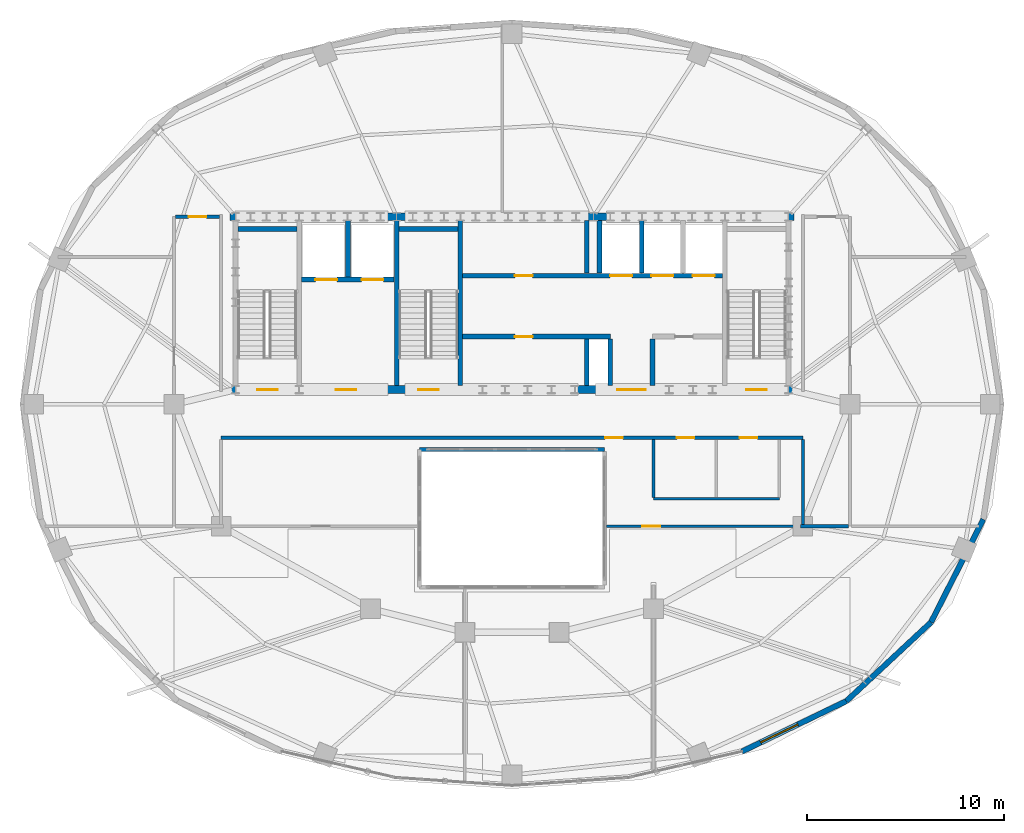
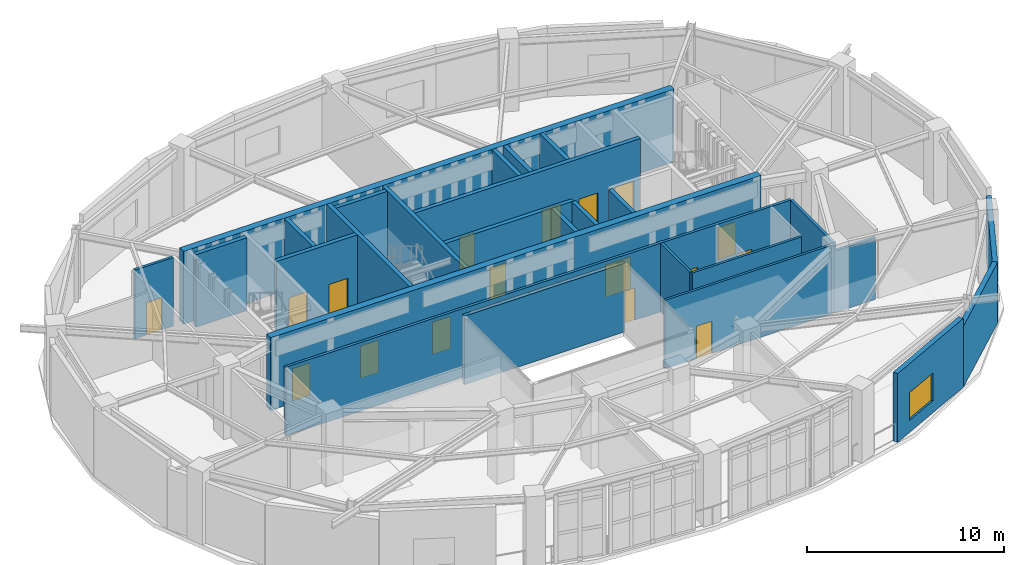
# One storey, part 8 of 11: 27 walls, 17 doors, 1 window, 18 openings.
"""IFC4 building model written with IfcOpenShell, lengths in metres."""

from ifc_helpers import new_model, si_unit, direction, frame, frame_2d, origin, place, context, subcontext, project, spatial, rectangle, extrude, material, layer, layer_set, type_object, element, fill, save


model = new_model("IFC4")

# Units and contexts
model_context = context("Model", 3, precision=1e-05, world=origin(), true_north=direction((0.0, 1.0)))
body_context = subcontext(model_context, "Body", "Model", "MODEL_VIEW")
ifc_project = project(units=[si_unit("LENGTHUNIT", "METRE"), si_unit("AREAUNIT", "SQUARE_METRE"), si_unit("VOLUMEUNIT", "CUBIC_METRE"), si_unit("PLANEANGLEUNIT", "RADIAN"), si_unit("MASSUNIT", "GRAM", prefix="KILO")], contexts=[model_context])

# Site, building, storey
site_placement = place(None, origin())
site = spatial("IfcSite", under=ifc_project, at=site_placement, CompositionType="ELEMENT")
building_placement = place(site_placement, origin())
building = spatial("IfcBuilding", under=site, at=building_placement, Name="Haldorwick Loom Tower", CompositionType="ELEMENT")
storey_placement = place(building_placement, frame((0.0, 0.0, 247.800048828125)))
storey = spatial("IfcBuildingStorey", under=building, at=storey_placement, Name="L67", CompositionType="ELEMENT", Elevation=247.800048828125)

# Wall, opening, window
ifc_material_1 = material(Name="Pressed Clay Face Brick and Insulated Masonry Backup Assembly", Category="masonry")
ifc_layer_1 = layer(ifc_material_1, 0.280029296875, Name="Pressed Clay Face Brick and Insulated Masonry Backup Assembly", Category="masonry")
ifc_layer_set_1 = layer_set([ifc_layer_1], Name="Pressed Clay Face Brick and Insulated Masonry Backup Assembly")
wall_type_1 = type_object("IfcWallType", Name="ARC-WL-EXT280", PredefinedType="STANDARD", material=ifc_layer_set_1)
wall_1_placement = place(storey_placement, frame((47.697998046875, 8.334228515625, 0.0), z_axis=(0.0, 0.0, 1.0), x_axis=(0.900481907967, 0.434893473651, 0.0)))
wall_1 = element("IfcWall", 1, at=wall_1_placement, inside=storey, type_object=wall_type_1, Name="L67 Brick Pier and Spandrel Wall 21", PredefinedType="STANDARD", context=body_context, shape_type="SweptSolid", body=[
    extrude(rectangle(XDim=5.90966796875, YDim=0.280029296875, at=frame_2d((2.954833984375, 0.0))), origin(), (0.0, 0.0, 1.0), 4.260009765625),
])
opening_1_placement = place(wall_1_placement, frame((1.062255859375, 0.0, 0.75)))
opening_1 = element("IfcOpeningElement", 2, at=opening_1_placement, cuts=wall_1, Name="Opening W-04", PredefinedType="OPENING", context=body_context, shape_type="SweptSolid", body=[
    extrude(rectangle(XDim=2.10009765625, YDim=1.719970703125, at=frame_2d((1.050048828125, 0.85986328125))), frame((0.0, 0.14990234375, 0.0), z_axis=(0.0, -1.0, 0.0), x_axis=(1.0, 0.0, 0.0)), (0.0, 0.0, 1.0), 0.300048828125),
])
ifc_material_2 = material(Name="Triple-Glazed Low-E Argon Insulated Glazing Unit", Category="glass")
window_type = type_object("IfcWindowType", Name="ARC-WIN-W210", PartitioningType="SINGLE_PANEL", PredefinedType="WINDOW", material=ifc_material_2)
window_placement = place(opening_1_placement, origin())
window = element("IfcWindow", 3, at=window_placement, inside=storey, type_object=window_type, Name="L67 Deep-Set Zone 7A Window 21", OverallHeight=1.719970703125, OverallWidth=2.10009765625, PartitioningType="SINGLE_PANEL", PredefinedType="WINDOW", context=body_context, shape_type="SweptSolid", body=[
    extrude(rectangle(XDim=2.10009765625, YDim=1.719970703125, at=frame_2d((1.050048828125, 0.85986328125))), frame((0.0, 0.030029296875, 0.0), z_axis=(0.0, -1.0, 0.0), x_axis=(1.0, 0.0, 0.0)), (0.0, 0.0, 1.0), 0.06005859375),
])
fill(opening_1, window)

# Walls
wall_2_placement = place(storey_placement, frame((53.01953125, 10.904296875, 0.0), z_axis=(0.0, 0.0, 1.0), x_axis=(0.731924682982, 0.68138554317, 0.0)))
element("IfcWall", 4, at=wall_2_placement, inside=storey, type_object=wall_type_1, Name="L67 Brick Pier and Spandrel Wall 22", PredefinedType="STANDARD", context=body_context, shape_type="SweptSolid", body=[
    extrude(rectangle(XDim=5.87890625, YDim=0.280029296875, at=frame_2d((2.939453125, 0.0))), origin(), (0.0, 0.0, 1.0), 3.76904296875),
])
wall_3_placement = place(storey_placement, frame((57.322509765625, 14.91015625, 0.0), z_axis=(0.0, 0.0, 1.0), x_axis=(0.453100705059, 0.89145933787, 0.0)))
element("IfcWall", 5, at=wall_3_placement, inside=storey, type_object=wall_type_1, Name="L67 Brick Pier and Spandrel Wall 23", PredefinedType="STANDARD", context=body_context, shape_type="SweptSolid", body=[
    extrude(rectangle(XDim=5.879150390625, YDim=0.280029296875, at=frame_2d((2.939453125, 0.0))), origin(), (0.0, 0.0, 1.0), 3.76904296875),
])

# Wall, openings, doors
ifc_material_3 = material(Name="Fire-Rated Type X Gypsum Stud Assembly EI 60")
ifc_layer_2 = layer(ifc_material_3, 0.159912109375, Name="Fire-Rated Type X Gypsum Stud Assembly EI 60")
ifc_layer_set_2 = layer_set([ifc_layer_2], Name="Fire-Rated Type X Gypsum Stud Assembly EI 60")
wall_type_2 = type_object("IfcWallType", Name="ARC-WL-FIRE160", PredefinedType="PARTITIONING", material=ifc_layer_set_2)
wall_4_placement = place(storey_placement, frame((21.199951171875, 24.300048828125, 0.0), z_axis=(0.0, 0.0, 1.0), x_axis=(1.0, 0.0, 0.0)))
wall_4 = element("IfcWall", 6, at=wall_4_placement, inside=storey, type_object=wall_type_2, Name="L67 Interior Partition L67-CS", PredefinedType="PARTITIONING", context=body_context, shape_type="SweptSolid", body=[
    extrude(rectangle(XDim=29.60009765625, YDim=0.159912109375, at=frame_2d((14.800048828125, 0.0))), origin(), (0.0, 0.0, 1.0), 4.244873046875),
])
opening_2_placement = place(wall_4_placement, frame((19.5400390625, 0.0, 0.0)))
opening_2 = element("IfcOpeningElement", 7, at=opening_2_placement, cuts=wall_4, Name="Opening D-FD60A", PredefinedType="OPENING", context=body_context, shape_type="SweptSolid", body=[
    extrude(rectangle(XDim=0.89990234375, YDim=2.0, at=frame_2d((0.449951171875, 1.0))), frame((0.0, 0.08984375, 0.0), z_axis=(0.0, -1.0, 0.0), x_axis=(1.0, 0.0, 0.0)), (0.0, 0.0, 1.0), 0.179931640625),
])
opening_3_placement = place(wall_4_placement, frame((26.388916015625, 0.0, 0.0)))
opening_3 = element("IfcOpeningElement", 8, at=opening_3_placement, cuts=wall_4, Name="Opening D-FD60A", PredefinedType="OPENING", context=body_context, shape_type="SweptSolid", body=[
    extrude(rectangle(XDim=0.89990234375, YDim=2.0, at=frame_2d((0.449951171875, 1.0))), frame((0.0, 0.08984375, 0.0), z_axis=(0.0, -1.0, 0.0), x_axis=(1.0, 0.0, 0.0)), (0.0, 0.0, 1.0), 0.179931640625),
])
opening_4_placement = place(wall_4_placement, frame((23.185791015625, 0.0, 0.0)))
opening_4 = element("IfcOpeningElement", 9, at=opening_4_placement, cuts=wall_4, Name="Opening D-FD60A", PredefinedType="OPENING", context=body_context, shape_type="SweptSolid", body=[
    extrude(rectangle(XDim=0.89990234375, YDim=2.0, at=frame_2d((0.449951171875, 1.0))), frame((0.0, 0.08984375, 0.0), z_axis=(0.0, -1.0, 0.0), x_axis=(1.0, 0.0, 0.0)), (0.0, 0.0, 1.0), 0.179931640625),
])
ifc_material_4 = material(Name="Hollow Steel Fire Door Assembly", Category="steel")
door_type_1 = type_object("IfcDoorType", Name="ARC-DR-FD60-90", OperationType="NOTDEFINED", PredefinedType="DOOR", material=ifc_material_4)
door_1_placement = place(opening_2_placement, origin())
door_1 = element("IfcDoor", 10, at=door_1_placement, inside=storey, type_object=door_type_1, Name="L67 L67 Central Transfer Corridor to Sky Reading Salon 3 Door", OperationType="SINGLE_SWING_LEFT", OverallHeight=2.0, OverallWidth=0.89990234375, PredefinedType="DOOR", context=body_context, shape_type="SweptSolid", body=[
    extrude(rectangle(XDim=0.89990234375, YDim=2.0, at=frame_2d((0.449951171875, 1.0))), frame((0.0, 0.02490234375, 0.0), z_axis=(0.0, -1.0, 0.0), x_axis=(1.0, 0.0, 0.0)), (0.0, 0.0, 1.0), 0.050048828125),
])
fill(opening_2, door_1)
door_2_placement = place(opening_3_placement, origin())
door_2 = element("IfcDoor", 11, at=door_2_placement, inside=storey, type_object=door_type_1, Name="L67 L67 Central Transfer Corridor to Accessible WC Door", OperationType="SINGLE_SWING_RIGHT", OverallHeight=2.0, OverallWidth=0.89990234375, PredefinedType="DOOR", context=body_context, shape_type="SweptSolid", body=[
    extrude(rectangle(XDim=0.89990234375, YDim=2.0, at=frame_2d((0.449951171875, 1.0))), frame((0.0, 0.02490234375, 0.0), z_axis=(0.0, -1.0, 0.0), x_axis=(1.0, 0.0, 0.0)), (0.0, 0.0, 1.0), 0.050048828125),
])
fill(opening_3, door_2)
door_3_placement = place(opening_4_placement, origin())
door_3 = element("IfcDoor", 12, at=door_3_placement, inside=storey, type_object=door_type_1, Name="L67 L67 Central Transfer Corridor to Public Washroom Door", OperationType="SINGLE_SWING_LEFT", OverallHeight=2.0, OverallWidth=0.89990234375, PredefinedType="DOOR", context=body_context, shape_type="SweptSolid", body=[
    extrude(rectangle(XDim=0.89990234375, YDim=2.0, at=frame_2d((0.449951171875, 1.0))), frame((0.0, 0.02490234375, 0.0), z_axis=(0.0, -1.0, 0.0), x_axis=(1.0, 0.0, 0.0)), (0.0, 0.0, 1.0), 0.050048828125),
])
fill(opening_4, door_3)

# Wall, opening, door
wall_5_placement = place(storey_placement, frame((18.883056640625, 35.550048828125, 0.0), z_axis=(0.0, 0.0, 1.0), x_axis=(1.0, 0.0, 0.0)))
wall_5 = element("IfcWall", 13, at=wall_5_placement, inside=storey, type_object=wall_type_2, Name="L67 Interior Partition L67-CWN", PredefinedType="PARTITIONING", context=body_context, shape_type="SweptSolid", body=[
    extrude(rectangle(XDim=2.23388671875, YDim=0.159912109375, at=frame_2d((1.116943359375, 0.0))), origin(), (0.0, 0.0, 1.0), 4.244873046875),
])
opening_5_placement = place(wall_5_placement, frame((0.6669921875, 0.0, 0.0)))
opening_5 = element("IfcOpeningElement", 14, at=opening_5_placement, cuts=wall_5, Name="Opening D-FD60A", PredefinedType="OPENING", context=body_context, shape_type="SweptSolid", body=[
    extrude(rectangle(XDim=0.89990234375, YDim=2.0, at=frame_2d((0.449951171875, 1.0))), frame((0.0, 0.08984375, 0.0), z_axis=(0.0, -1.0, 0.0), x_axis=(1.0, 0.0, 0.0)), (0.0, 0.0, 1.0), 0.179931640625),
])
door_4_placement = place(opening_5_placement, frame((0.89990234375, 0.0, 0.0), z_axis=(0.0, 0.0, 1.0), x_axis=(-1.0, 0.0, 0.0)))
door_4 = element("IfcDoor", 15, at=door_4_placement, inside=storey, type_object=door_type_1, Name="L67 Shared Pantry 9 to L67 Central Transfer Corridor Door", OperationType="SINGLE_SWING_RIGHT", OverallHeight=2.0, OverallWidth=0.89990234375, PredefinedType="DOOR", context=body_context, shape_type="SweptSolid", body=[
    extrude(rectangle(XDim=0.89990234375, YDim=2.0, at=frame_2d((0.449951171875, 1.0))), frame((0.0, 0.02490234375, 0.0), z_axis=(0.0, -1.0, 0.0), x_axis=(1.0, 0.0, 0.0)), (0.0, 0.0, 1.0), 0.050048828125),
])
fill(opening_5, door_4)

# Walls
wall_6_placement = place(storey_placement, frame((50.679931640625, 19.800048828125, 0.0), z_axis=(0.0, 0.0, 1.0), x_axis=(1.0, 0.0, 0.0)))
element("IfcWall", 16, at=wall_6_placement, inside=storey, type_object=wall_type_2, Name="L67 Interior Partition L67-CES", PredefinedType="PARTITIONING", context=body_context, shape_type="SweptSolid", body=[
    extrude(rectangle(XDim=2.43701171875, YDim=0.159912109375, at=frame_2d((1.218505859375, 0.0))), origin(), (0.0, 0.0, 1.0), 3.822021484375),
])
wall_7_placement = place(storey_placement, frame((50.800048828125, 19.883056640625, 0.0), z_axis=(0.0, 0.0, 1.0), x_axis=(0.0, 1.0, 0.0)))
element("IfcWall", 17, at=wall_7_placement, inside=storey, type_object=wall_type_2, Name="L67 Interior Partition L67-CE1", PredefinedType="PARTITIONING", context=body_context, shape_type="SweptSolid", body=[
    extrude(rectangle(XDim=4.333984375, YDim=0.159912109375, at=frame_2d((2.1669921875, 0.0))), origin(), (0.0, 0.0, 1.0), 4.244873046875),
])
ifc_material_5 = material(Name="Fire-Rated Type X Gypsum Stud Assembly EI 120")
ifc_layer_3 = layer(ifc_material_5, 0.199951171875, Name="Fire-Rated Type X Gypsum Stud Assembly EI 120")
ifc_layer_set_3 = layer_set([ifc_layer_3], Name="Fire-Rated Type X Gypsum Stud Assembly EI 120")
wall_type_3 = type_object("IfcWallType", Name="ARC-WL-FIRE200", PredefinedType="PARTITIONING", material=ifc_layer_set_3)
wall_8_placement = place(storey_placement, frame((31.300048828125, 23.699951171875, 0.0), z_axis=(0.0, 0.0, 1.0), x_axis=(1.0, 0.0, 0.0)))
element("IfcWall", 18, at=wall_8_placement, inside=storey, type_object=wall_type_3, Name="L67 Atrium Fire Wall", PredefinedType="PARTITIONING", context=body_context, shape_type="SweptSolid", body=[
    extrude(rectangle(XDim=9.39990234375, YDim=0.199951171875, at=frame_2d((4.699951171875, 0.0))), origin(), (0.0, 0.0, 1.0), 4.244873046875),
])
ifc_layer_4 = layer(ifc_material_3, 0.139892578125, Name="Fire-Rated Type X Gypsum Stud Assembly EI 60")
ifc_layer_set_4 = layer_set([ifc_layer_4], Name="Fire-Rated Type X Gypsum Stud Assembly EI 60")
wall_type_4 = type_object("IfcWallType", Name="ARC-WL-PART140", PredefinedType="PARTITIONING", material=ifc_layer_set_4)
wall_9_placement = place(storey_placement, frame((43.199951171875, 21.199951171875, 0.0), z_axis=(0.0, 0.0, 1.0), x_axis=(1.0, 0.0, 0.0)))
element("IfcWall", 19, at=wall_9_placement, inside=storey, type_object=wall_type_4, Name="L67 Interior Partition L67-WC1", PredefinedType="PARTITIONING", context=body_context, shape_type="SweptSolid", body=[
    extrude(rectangle(XDim=6.400146484375, YDim=0.139892578125, at=frame_2d((3.2001953125, 0.0))), origin(), (0.0, 0.0, 1.0), 4.244873046875),
])
wall_10_placement = place(storey_placement, frame((43.199951171875, 21.27294921875, 0.0), z_axis=(0.0, 0.0, 1.0), x_axis=(0.0, 1.0, 0.0)))
element("IfcWall", 20, at=wall_10_placement, inside=storey, type_object=wall_type_4, Name="L67 Interior Partition L67-WC3", PredefinedType="PARTITIONING", context=body_context, shape_type="SweptSolid", body=[
    extrude(rectangle(XDim=2.944091796875, YDim=0.139892578125, at=frame_2d((1.47216796875, 0.0))), origin(), (0.0, 0.0, 1.0), 4.244873046875),
])

# Wall, opening, door
wall_11_placement = place(storey_placement, frame((40.802978515625, 19.800048828125, 0.0), z_axis=(0.0, 0.0, 1.0), x_axis=(1.0, 0.0, 0.0)))
wall_11 = element("IfcWall", 21, at=wall_11_placement, inside=storey, type_object=wall_type_4, Name="L67 Interior Partition L67-EL-S", PredefinedType="PARTITIONING", context=body_context, shape_type="SweptSolid", body=[
    extrude(rectangle(XDim=9.876953125, YDim=0.139892578125, at=frame_2d((4.9384765625, 0.0))), origin(), (0.0, 0.0, 1.0), 4.244873046875),
])
opening_6_placement = place(wall_11_placement, frame((1.8359375, 0.0, 0.0)))
opening_6 = element("IfcOpeningElement", 22, at=opening_6_placement, cuts=wall_11, Name="Opening D-FD60A", PredefinedType="OPENING", context=body_context, shape_type="SweptSolid", body=[
    extrude(rectangle(XDim=0.89990234375, YDim=2.0, at=frame_2d((0.449951171875, 1.0))), frame((0.0, 0.079833984375, 0.0), z_axis=(0.0, -1.0, 0.0), x_axis=(1.0, 0.0, 0.0)), (0.0, 0.0, 1.0), 0.159912109375),
])
door_5_placement = place(opening_6_placement, origin())
door_5 = element("IfcDoor", 23, at=door_5_placement, inside=storey, type_object=door_type_1, Name="L67 Sky Reading Salon 3 to High-Zone Arts Studio 1 Door", OperationType="SINGLE_SWING_RIGHT", OverallHeight=2.0, OverallWidth=0.89990234375, PredefinedType="DOOR", context=body_context, shape_type="SweptSolid", body=[
    extrude(rectangle(XDim=0.89990234375, YDim=2.0, at=frame_2d((0.449951171875, 1.0))), frame((0.0, 0.02490234375, 0.0), z_axis=(0.0, -1.0, 0.0), x_axis=(1.0, 0.0, 0.0)), (0.0, 0.0, 1.0), 0.050048828125),
])
fill(opening_6, door_5)

# Wall, openings, doors
ifc_material_6 = material(Name="Concrete C50 (50 MPa)", Category="concrete")
ifc_layer_5 = layer(ifc_material_6, 0.39990234375, Name="Concrete C50 (50 MPa)", Category="concrete")
ifc_layer_set_5 = layer_set([ifc_layer_5], Name="Concrete C50 (50 MPa)")
wall_type_5 = type_object("IfcWallType", Name="STR-WL-CORE400", PredefinedType="SHEAR", material=ifc_layer_set_5)
wall_12_placement = place(storey_placement, frame((21.64990234375, 26.75, 0.0), z_axis=(0.0, 0.0, 1.0), x_axis=(1.0, 0.0, 0.0)))
wall_12 = element("IfcWall", 24, at=wall_12_placement, inside=storey, type_object=wall_type_5, Name="L67 Core Shear Wall S", PredefinedType="SHEAR", context=body_context, shape_type="SweptSolid", body=[
    extrude(rectangle(XDim=28.7001953125, YDim=0.39990234375, at=frame_2d((14.35009765625, 0.0))), origin(), (0.0, 0.0, 1.0), 4.5),
])
opening_7_placement = place(wall_12_placement, frame((1.375, 0.0, 0.0)))
opening_7 = element("IfcOpeningElement", 25, at=opening_7_placement, cuts=wall_12, Name="Opening D-FD60", PredefinedType="OPENING", context=body_context, shape_type="SweptSolid", body=[
    extrude(rectangle(XDim=1.050048828125, YDim=2.0, at=frame_2d((0.52490234375, 1.0))), frame((0.0, 0.2099609375, 0.0), z_axis=(0.0, -1.0, 0.0), x_axis=(1.0, 0.0, 0.0)), (0.0, 0.0, 1.0), 0.419921875),
])
opening_8_placement = place(wall_12_placement, frame((5.375, 0.0, 0.0)))
opening_8 = element("IfcOpeningElement", 26, at=opening_8_placement, cuts=wall_12, Name="Opening D-FD60", PredefinedType="OPENING", context=body_context, shape_type="SweptSolid", body=[
    extrude(rectangle(XDim=1.050048828125, YDim=2.0, at=frame_2d((0.52490234375, 1.0))), frame((0.0, 0.2099609375, 0.0), z_axis=(0.0, -1.0, 0.0), x_axis=(1.0, 0.0, 0.0)), (0.0, 0.0, 1.0), 0.419921875),
])
opening_9_placement = place(wall_12_placement, frame((9.574951171875, 0.0, 0.0)))
opening_9 = element("IfcOpeningElement", 27, at=opening_9_placement, cuts=wall_12, Name="Opening D-FD60", PredefinedType="OPENING", context=body_context, shape_type="SweptSolid", body=[
    extrude(rectangle(XDim=1.050048828125, YDim=2.0, at=frame_2d((0.52490234375, 1.0))), frame((0.0, 0.2099609375, 0.0), z_axis=(0.0, -1.0, 0.0), x_axis=(1.0, 0.0, 0.0)), (0.0, 0.0, 1.0), 0.419921875),
])
opening_10_placement = place(wall_12_placement, frame((19.705078125, 0.0, 0.0)))
opening_10 = element("IfcOpeningElement", 28, at=opening_10_placement, cuts=wall_12, Name="Opening D-LB15", PredefinedType="OPENING", context=body_context, shape_type="SweptSolid", body=[
    extrude(rectangle(XDim=1.449951171875, YDim=2.0, at=frame_2d((0.72509765625, 1.0))), frame((0.0, 0.2099609375, 0.0), z_axis=(0.0, -1.0, 0.0), x_axis=(1.0, 0.0, 0.0)), (0.0, 0.0, 1.0), 0.419921875),
])
opening_11_placement = place(wall_12_placement, frame((26.27490234375, 0.0, 0.0)))
opening_11 = element("IfcOpeningElement", 29, at=opening_11_placement, cuts=wall_12, Name="Opening D-FD60", PredefinedType="OPENING", context=body_context, shape_type="SweptSolid", body=[
    extrude(rectangle(XDim=1.050048828125, YDim=2.0, at=frame_2d((0.52490234375, 1.0))), frame((0.0, 0.2099609375, 0.0), z_axis=(0.0, -1.0, 0.0), x_axis=(1.0, 0.0, 0.0)), (0.0, 0.0, 1.0), 0.419921875),
])
door_type_2 = type_object("IfcDoorType", Name="ARC-DR-FD60", OperationType="NOTDEFINED", PredefinedType="DOOR", material=ifc_material_4)
door_6_placement = place(opening_7_placement, origin())
door_6 = element("IfcDoor", 30, at=door_6_placement, inside=storey, type_object=door_type_2, Name="L67 Exit Stair ST-01 Fire Door", OperationType="SINGLE_SWING_LEFT", OverallHeight=2.0, OverallWidth=1.050048828125, PredefinedType="DOOR", context=body_context, shape_type="SweptSolid", body=[
    extrude(rectangle(XDim=1.050048828125, YDim=2.0, at=frame_2d((0.52490234375, 1.0))), frame((0.0, 0.02490234375, 0.0), z_axis=(0.0, -1.0, 0.0), x_axis=(1.0, 0.0, 0.0)), (0.0, 0.0, 1.0), 0.050048828125),
])
fill(opening_7, door_6)
door_7_placement = place(opening_8_placement, origin())
door_7 = element("IfcDoor", 31, at=door_7_placement, inside=storey, type_object=door_type_2, Name="L67 Firefighting Lift Lobby Fire Door", OperationType="SINGLE_SWING_RIGHT", OverallHeight=2.0, OverallWidth=1.050048828125, PredefinedType="DOOR", context=body_context, shape_type="SweptSolid", body=[
    extrude(rectangle(XDim=1.050048828125, YDim=2.0, at=frame_2d((0.52490234375, 1.0))), frame((0.0, 0.02490234375, 0.0), z_axis=(0.0, -1.0, 0.0), x_axis=(1.0, 0.0, 0.0)), (0.0, 0.0, 1.0), 0.050048828125),
])
fill(opening_8, door_7)
door_8_placement = place(opening_9_placement, origin())
door_8 = element("IfcDoor", 32, at=door_8_placement, inside=storey, type_object=door_type_2, Name="L67 Exit Stair ST-03 Fire Door", OperationType="SINGLE_SWING_LEFT", OverallHeight=2.0, OverallWidth=1.050048828125, PredefinedType="DOOR", context=body_context, shape_type="SweptSolid", body=[
    extrude(rectangle(XDim=1.050048828125, YDim=2.0, at=frame_2d((0.52490234375, 1.0))), frame((0.0, 0.02490234375, 0.0), z_axis=(0.0, -1.0, 0.0), x_axis=(1.0, 0.0, 0.0)), (0.0, 0.0, 1.0), 0.050048828125),
])
fill(opening_9, door_8)
door_9_placement = place(opening_11_placement, origin())
door_9 = element("IfcDoor", 33, at=door_9_placement, inside=storey, type_object=door_type_2, Name="L67 Exit Stair ST-02 Fire Door", OperationType="SINGLE_SWING_LEFT", OverallHeight=2.0, OverallWidth=1.050048828125, PredefinedType="DOOR", context=body_context, shape_type="SweptSolid", body=[
    extrude(rectangle(XDim=1.050048828125, YDim=2.0, at=frame_2d((0.52490234375, 1.0))), frame((0.0, 0.02490234375, 0.0), z_axis=(0.0, -1.0, 0.0), x_axis=(1.0, 0.0, 0.0)), (0.0, 0.0, 1.0), 0.050048828125),
])
fill(opening_11, door_9)
ifc_material_7 = material(Name="Thermally Broken Anodized Aluminium and Tempered Glass", Category="aluminium")
door_type_3 = type_object("IfcDoorType", Name="ARC-DR-LOB150", OperationType="NOTDEFINED", PredefinedType="DOOR", material=ifc_material_7)
door_10_placement = place(opening_10_placement, frame((1.449951171875, 0.0, 0.0), z_axis=(0.0, 0.0, 1.0), x_axis=(-1.0, 0.0, 0.0)))
door_10 = element("IfcDoor", 34, at=door_10_placement, inside=storey, type_object=door_type_3, Name="L67 Passenger Lift Lobby Fire Door", OperationType="DOUBLE_DOOR_SINGLE_SWING", OverallHeight=2.0, OverallWidth=1.449951171875, PredefinedType="DOOR", context=body_context, shape_type="SweptSolid", body=[
    extrude(rectangle(XDim=1.449951171875, YDim=2.0, at=frame_2d((0.72509765625, 1.0))), frame((0.0, 0.02490234375, 0.0), z_axis=(0.0, -1.0, 0.0), x_axis=(1.0, 0.0, 0.0)), (0.0, 0.0, 1.0), 0.050048828125),
])
fill(opening_10, door_10)

# Walls
wall_13_placement = place(storey_placement, frame((50.35009765625, 35.550048828125, 0.0), z_axis=(0.0, 0.0, 1.0), x_axis=(-1.0, 0.0, 0.0)))
element("IfcWall", 35, at=wall_13_placement, inside=storey, type_object=wall_type_5, Name="L67 Core Shear Wall N", PredefinedType="SHEAR", context=body_context, shape_type="SweptSolid", body=[
    extrude(rectangle(XDim=28.7001953125, YDim=0.39990234375, at=frame_2d((14.35009765625, 0.0))), origin(), (0.0, 0.0, 1.0), 4.5),
])
ifc_layer_6 = layer(ifc_material_6, 0.239990234375, Name="Concrete C50 (50 MPa)", Category="concrete")
ifc_layer_set_6 = layer_set([ifc_layer_6], Name="Concrete C50 (50 MPa)")
wall_type_6 = type_object("IfcWallType", Name="STR-WL-SHAFT240", PredefinedType="SHEAR", material=ifc_layer_set_6)
wall_14_placement = place(storey_placement, frame((22.052978515625, 34.919921875, 0.0), z_axis=(0.0, 0.0, 1.0), x_axis=(1.0, 0.0, 0.0)))
element("IfcWall", 36, at=wall_14_placement, inside=storey, type_object=wall_type_6, Name="L67 Core Shear Wall 1N", PredefinedType="SHEAR", context=body_context, shape_type="SweptSolid", body=[
    extrude(rectangle(XDim=2.994140625, YDim=0.239990234375, at=frame_2d((1.4970703125, 0.0))), origin(), (0.0, 0.0, 1.0), 4.5),
])
for number, where, z_axis, x_axis, name in (
    (37, (30.1298828125, 26.952880859375, 0.0), (0.0, 0.0, 1.0), (0.0, 1.0, 0.0), "L67 Core Shear Wall 2"),
    (38, (33.3701171875, 26.952880859375, 0.0), (0.0, 0.0, 1.0), (0.0, 1.0, 0.0), "L67 Core Shear Wall 3"),
):
    element("IfcWall", number, at=place(storey_placement, frame(where, z_axis=z_axis, x_axis=x_axis)), inside=storey, type_object=wall_type_6, Name=name, PredefinedType="SHEAR", context=body_context, shape_type="SweptSolid", body=[
        extrude(rectangle(XDim=8.39404296875, YDim=0.239990234375, at=frame_2d((4.197021484375, 0.0))), origin(), (0.0, 0.0, 1.0), 4.5),
    ])
wall_15_placement = place(storey_placement, frame((30.2529296875, 34.919921875, 0.0), z_axis=(0.0, 0.0, 1.0), x_axis=(1.0, 0.0, 0.0)))
element("IfcWall", 39, at=wall_15_placement, inside=storey, type_object=wall_type_6, Name="L67 Core Shear Wall 3N", PredefinedType="SHEAR", context=body_context, shape_type="SweptSolid", body=[
    extrude(rectangle(XDim=2.994140625, YDim=0.239990234375, at=frame_2d((1.4970703125, 0.0))), origin(), (0.0, 0.0, 1.0), 4.5),
])

# Wall, openings, doors
wall_16_placement = place(storey_placement, frame((25.29296875, 32.35009765625, 0.0), z_axis=(0.0, 0.0, 1.0), x_axis=(1.0, 0.0, 0.0)))
wall_16 = element("IfcWall", 40, at=wall_16_placement, inside=storey, type_object=wall_type_6, Name="L67 Core Shear Wall FF", PredefinedType="SHEAR", context=body_context, shape_type="SweptSolid", body=[
    extrude(rectangle(XDim=4.714111328125, YDim=0.239990234375, at=frame_2d((2.35693359375, 0.0))), origin(), (0.0, 0.0, 1.0), 4.5),
])
opening_12_placement = place(wall_16_placement, frame((0.70703125, 0.0, 0.0)))
opening_12 = element("IfcOpeningElement", 41, at=opening_12_placement, cuts=wall_16, Name="Opening LD-FF1", PredefinedType="OPENING", context=body_context, shape_type="SweptSolid", body=[
    extrude(rectangle(XDim=1.10009765625, YDim=2.0, at=frame_2d((0.550048828125, 1.0))), frame((0.0, 0.1298828125, 0.0), z_axis=(0.0, -1.0, 0.0), x_axis=(1.0, 0.0, 0.0)), (0.0, 0.0, 1.0), 0.260009765625),
])
opening_13_placement = place(wall_16_placement, frame((3.056884765625, 0.0, 0.0)))
opening_13 = element("IfcOpeningElement", 42, at=opening_13_placement, cuts=wall_16, Name="Opening LD-FF2", PredefinedType="OPENING", context=body_context, shape_type="SweptSolid", body=[
    extrude(rectangle(XDim=1.10009765625, YDim=2.0, at=frame_2d((0.550048828125, 1.0))), frame((0.0, 0.1298828125, 0.0), z_axis=(0.0, -1.0, 0.0), x_axis=(1.0, 0.0, 0.0)), (0.0, 0.0, 1.0), 0.260009765625),
])
door_type_4 = type_object("IfcDoorType", Name="ARC-DR-LD-FF", OperationType="NOTDEFINED", PredefinedType="USERDEFINED", material=ifc_material_4)
door_11_placement = place(opening_12_placement, origin())
door_11 = element("IfcDoor", 43, at=door_11_placement, inside=storey, type_object=door_type_4, Name="L67 Lift LF-FF1 Sliding Landing Door", ObjectType="LANDING DOOR", OperationType="DOUBLE_DOOR_SLIDING", OverallHeight=2.0, OverallWidth=1.10009765625, PredefinedType="USERDEFINED", context=body_context, shape_type="SweptSolid", body=[
    extrude(rectangle(XDim=1.10009765625, YDim=2.0, at=frame_2d((0.550048828125, 1.0))), frame((0.0, 0.02490234375, 0.0), z_axis=(0.0, -1.0, 0.0), x_axis=(1.0, 0.0, 0.0)), (0.0, 0.0, 1.0), 0.050048828125),
])
fill(opening_12, door_11)
door_12_placement = place(opening_13_placement, origin())
door_12 = element("IfcDoor", 44, at=door_12_placement, inside=storey, type_object=door_type_4, Name="L67 Lift LF-FF2 Sliding Landing Door", ObjectType="LANDING DOOR", OperationType="DOUBLE_DOOR_SLIDING", OverallHeight=2.0, OverallWidth=1.10009765625, PredefinedType="USERDEFINED", context=body_context, shape_type="SweptSolid", body=[
    extrude(rectangle(XDim=1.10009765625, YDim=2.0, at=frame_2d((0.550048828125, 1.0))), frame((0.0, 0.02490234375, 0.0), z_axis=(0.0, -1.0, 0.0), x_axis=(1.0, 0.0, 0.0)), (0.0, 0.0, 1.0), 0.050048828125),
])
fill(opening_13, door_12)

# Wall
wall_17_placement = place(storey_placement, frame((27.64990234375, 32.472900390625, 0.0), z_axis=(0.0, 0.0, 1.0), x_axis=(0.0, 1.0, 0.0)))
element("IfcWall", 45, at=wall_17_placement, inside=storey, type_object=wall_type_6, Name="L67 Core Shear Wall FFD", PredefinedType="SHEAR", context=body_context, shape_type="SweptSolid", body=[
    extrude(rectangle(XDim=2.8740234375, YDim=0.239990234375, at=frame_2d((1.43701171875, 0.0))), origin(), (0.0, 0.0, 1.0), 4.5),
])

# Wall, openings, doors
wall_18_placement = place(storey_placement, frame((33.492919921875, 32.550048828125, 0.0), z_axis=(0.0, 0.0, 1.0), x_axis=(1.0, 0.0, 0.0)))
wall_18 = element("IfcWall", 46, at=wall_18_placement, inside=storey, type_object=wall_type_6, Name="L67 Core Shear Wall LN", PredefinedType="SHEAR", context=body_context, shape_type="SweptSolid", body=[
    extrude(rectangle(XDim=13.214111328125, YDim=0.239990234375, at=frame_2d((6.60693359375, 0.0))), origin(), (0.0, 0.0, 1.0), 4.5),
])
opening_14_placement = place(wall_18_placement, frame((2.656982421875, 0.0, 0.0)))
opening_14 = element("IfcOpeningElement", 47, at=opening_14_placement, cuts=wall_18, Name="Opening D-FD60A", PredefinedType="OPENING", context=body_context, shape_type="SweptSolid", body=[
    extrude(rectangle(XDim=0.89990234375, YDim=2.0, at=frame_2d((0.449951171875, 1.0))), frame((0.0, 0.1298828125, 0.0), z_axis=(0.0, -1.0, 0.0), x_axis=(1.0, 0.0, 0.0)), (0.0, 0.0, 1.0), 0.260009765625),
])
opening_15_placement = place(wall_18_placement, frame((7.4970703125, 0.0, 0.0)))
opening_15 = element("IfcOpeningElement", 48, at=opening_15_placement, cuts=wall_18, Name="Opening LD-H1", PredefinedType="OPENING", context=body_context, shape_type="SweptSolid", body=[
    extrude(rectangle(XDim=1.1201171875, YDim=2.0, at=frame_2d((0.56005859375, 1.0))), frame((0.0, 0.1298828125, 0.0), z_axis=(0.0, -1.0, 0.0), x_axis=(1.0, 0.0, 0.0)), (0.0, 0.0, 1.0), 0.260009765625),
])
opening_16_placement = place(wall_18_placement, frame((9.596923828125, 0.0, 0.0)))
opening_16 = element("IfcOpeningElement", 49, at=opening_16_placement, cuts=wall_18, Name="Opening LD-H2", PredefinedType="OPENING", context=body_context, shape_type="SweptSolid", body=[
    extrude(rectangle(XDim=1.1201171875, YDim=2.0, at=frame_2d((0.56005859375, 1.0))), frame((0.0, 0.1298828125, 0.0), z_axis=(0.0, -1.0, 0.0), x_axis=(1.0, 0.0, 0.0)), (0.0, 0.0, 1.0), 0.260009765625),
])
opening_17_placement = place(wall_18_placement, frame((11.697021484375, 0.0, 0.0)))
opening_17 = element("IfcOpeningElement", 50, at=opening_17_placement, cuts=wall_18, Name="Opening LD-H3", PredefinedType="OPENING", context=body_context, shape_type="SweptSolid", body=[
    extrude(rectangle(XDim=1.1201171875, YDim=2.0, at=frame_2d((0.56005859375, 1.0))), frame((0.0, 0.1298828125, 0.0), z_axis=(0.0, -1.0, 0.0), x_axis=(1.0, 0.0, 0.0)), (0.0, 0.0, 1.0), 0.260009765625),
])
door_13_placement = place(opening_14_placement, frame((0.89990234375, 0.0, 0.0), z_axis=(0.0, 0.0, 1.0), x_axis=(-1.0, 0.0, 0.0)))
door_13 = element("IfcDoor", 51, at=door_13_placement, inside=storey, type_object=door_type_1, Name="L67 Housekeeping Store Door", OperationType="SINGLE_SWING_LEFT", OverallHeight=2.0, OverallWidth=0.89990234375, PredefinedType="DOOR", context=body_context, shape_type="SweptSolid", body=[
    extrude(rectangle(XDim=0.89990234375, YDim=2.0, at=frame_2d((0.449951171875, 1.0))), frame((0.0, 0.02490234375, 0.0), z_axis=(0.0, -1.0, 0.0), x_axis=(1.0, 0.0, 0.0)), (0.0, 0.0, 1.0), 0.050048828125),
])
fill(opening_14, door_13)
door_type_5 = type_object("IfcDoorType", Name="ARC-DR-LD-PAX", OperationType="NOTDEFINED", PredefinedType="USERDEFINED", material=ifc_material_4)
door_14_placement = place(opening_15_placement, origin())
door_14 = element("IfcDoor", 52, at=door_14_placement, inside=storey, type_object=door_type_5, Name="L67 Lift LF-H1 Sliding Landing Door", ObjectType="LANDING DOOR", OperationType="DOUBLE_DOOR_SLIDING", OverallHeight=2.0, OverallWidth=1.1201171875, PredefinedType="USERDEFINED", context=body_context, shape_type="SweptSolid", body=[
    extrude(rectangle(XDim=1.1201171875, YDim=2.0, at=frame_2d((0.56005859375, 1.0))), frame((0.0, 0.02490234375, 0.0), z_axis=(0.0, -1.0, 0.0), x_axis=(1.0, 0.0, 0.0)), (0.0, 0.0, 1.0), 0.050048828125),
])
fill(opening_15, door_14)
door_15_placement = place(opening_16_placement, origin())
door_15 = element("IfcDoor", 53, at=door_15_placement, inside=storey, type_object=door_type_5, Name="L67 Lift LF-H2 Sliding Landing Door", ObjectType="LANDING DOOR", OperationType="DOUBLE_DOOR_SLIDING", OverallHeight=2.0, OverallWidth=1.1201171875, PredefinedType="USERDEFINED", context=body_context, shape_type="SweptSolid", body=[
    extrude(rectangle(XDim=1.1201171875, YDim=2.0, at=frame_2d((0.56005859375, 1.0))), frame((0.0, 0.02490234375, 0.0), z_axis=(0.0, -1.0, 0.0), x_axis=(1.0, 0.0, 0.0)), (0.0, 0.0, 1.0), 0.050048828125),
])
fill(opening_16, door_15)
door_16_placement = place(opening_17_placement, origin())
door_16 = element("IfcDoor", 54, at=door_16_placement, inside=storey, type_object=door_type_5, Name="L67 Lift LF-H3 Sliding Landing Door", ObjectType="LANDING DOOR", OperationType="DOUBLE_DOOR_SLIDING", OverallHeight=2.0, OverallWidth=1.1201171875, PredefinedType="USERDEFINED", context=body_context, shape_type="SweptSolid", body=[
    extrude(rectangle(XDim=1.1201171875, YDim=2.0, at=frame_2d((0.56005859375, 1.0))), frame((0.0, 0.02490234375, 0.0), z_axis=(0.0, -1.0, 0.0), x_axis=(1.0, 0.0, 0.0)), (0.0, 0.0, 1.0), 0.050048828125),
])
fill(opening_17, door_16)

# Wall, opening, door
wall_19_placement = place(storey_placement, frame((33.492919921875, 29.449951171875, 0.0), z_axis=(0.0, 0.0, 1.0), x_axis=(1.0, 0.0, 0.0)))
wall_19 = element("IfcWall", 55, at=wall_19_placement, inside=storey, type_object=wall_type_6, Name="L67 Core Shear Wall LS1", PredefinedType="SHEAR", context=body_context, shape_type="SweptSolid", body=[
    extrude(rectangle(XDim=7.507080078125, YDim=0.239990234375, at=frame_2d((3.75341796875, 0.0))), origin(), (0.0, 0.0, 1.0), 4.5),
])
opening_18_placement = place(wall_19_placement, frame((2.656982421875, 0.0, 0.0)))
opening_18 = element("IfcOpeningElement", 56, at=opening_18_placement, cuts=wall_19, Name="Opening D-FD60A", PredefinedType="OPENING", context=body_context, shape_type="SweptSolid", body=[
    extrude(rectangle(XDim=0.89990234375, YDim=2.0, at=frame_2d((0.449951171875, 1.0))), frame((0.0, 0.1298828125, 0.0), z_axis=(0.0, -1.0, 0.0), x_axis=(1.0, 0.0, 0.0)), (0.0, 0.0, 1.0), 0.260009765625),
])
door_17_placement = place(opening_18_placement, origin())
door_17 = element("IfcDoor", 57, at=door_17_placement, inside=storey, type_object=door_type_1, Name="L67 Switch Room Door", OperationType="SINGLE_SWING_RIGHT", OverallHeight=2.0, OverallWidth=0.89990234375, PredefinedType="DOOR", context=body_context, shape_type="SweptSolid", body=[
    extrude(rectangle(XDim=0.89990234375, YDim=2.0, at=frame_2d((0.449951171875, 1.0))), frame((0.0, 0.02490234375, 0.0), z_axis=(0.0, -1.0, 0.0), x_axis=(1.0, 0.0, 0.0)), (0.0, 0.0, 1.0), 0.050048828125),
])
fill(opening_18, door_17)

# Walls
for number, where, z_axis, x_axis, name in (
    (58, (41.0, 26.952880859375, 0.0), (0.0, 0.0, 1.0), (0.0, 1.0, 0.0), "L67 Core Shear Wall THW"),
    (59, (43.14990234375, 26.952880859375, 0.0), (0.0, 0.0, 1.0), (0.0, 1.0, 0.0), "L67 Core Shear Wall THE"),
):
    element("IfcWall", number, at=place(storey_placement, frame(where, z_axis=z_axis, x_axis=x_axis)), inside=storey, type_object=wall_type_6, Name=name, PredefinedType="SHEAR", context=body_context, shape_type="SweptSolid", body=[
        extrude(rectangle(XDim=2.3740234375, YDim=0.239990234375, at=frame_2d((1.18701171875, 0.0))), origin(), (0.0, 0.0, 1.0), 4.5),
    ])
for number, where, z_axis, x_axis, name in (
    (60, (39.800048828125, 32.673095703125, 0.0), (0.0, 0.0, 1.0), (0.0, 1.0, 0.0), "L67 Core Shear Wall LHW"),
    (61, (40.449951171875, 32.673095703125, 0.0), (0.0, 0.0, 1.0), (0.0, 1.0, 0.0), "L67 Core Shear Wall H0"),
    (62, (42.60009765625, 32.673095703125, 0.0), (0.0, 0.0, 1.0), (0.0, 1.0, 0.0), "L67 Core Shear Wall H1"),
):
    element("IfcWall", number, at=place(storey_placement, frame(where, z_axis=z_axis, x_axis=x_axis)), inside=storey, type_object=wall_type_6, Name=name, PredefinedType="SHEAR", context=body_context, shape_type="SweptSolid", body=[
        extrude(rectangle(XDim=2.673828125, YDim=0.239990234375, at=frame_2d((1.3369140625, 0.0))), origin(), (0.0, 0.0, 1.0), 4.5),
    ])
wall_20_placement = place(storey_placement, frame((39.800048828125, 26.952880859375, 0.0), z_axis=(0.0, 0.0, 1.0), x_axis=(0.0, 1.0, 0.0)))
element("IfcWall", 63, at=wall_20_placement, inside=storey, type_object=wall_type_6, Name="L67 Core Shear Wall MRW", PredefinedType="SHEAR", context=body_context, shape_type="SweptSolid", body=[
    extrude(rectangle(XDim=2.3740234375, YDim=0.239990234375, at=frame_2d((1.18701171875, 0.0))), origin(), (0.0, 0.0, 1.0), 4.5),
])

save(model, "model.ifc")
